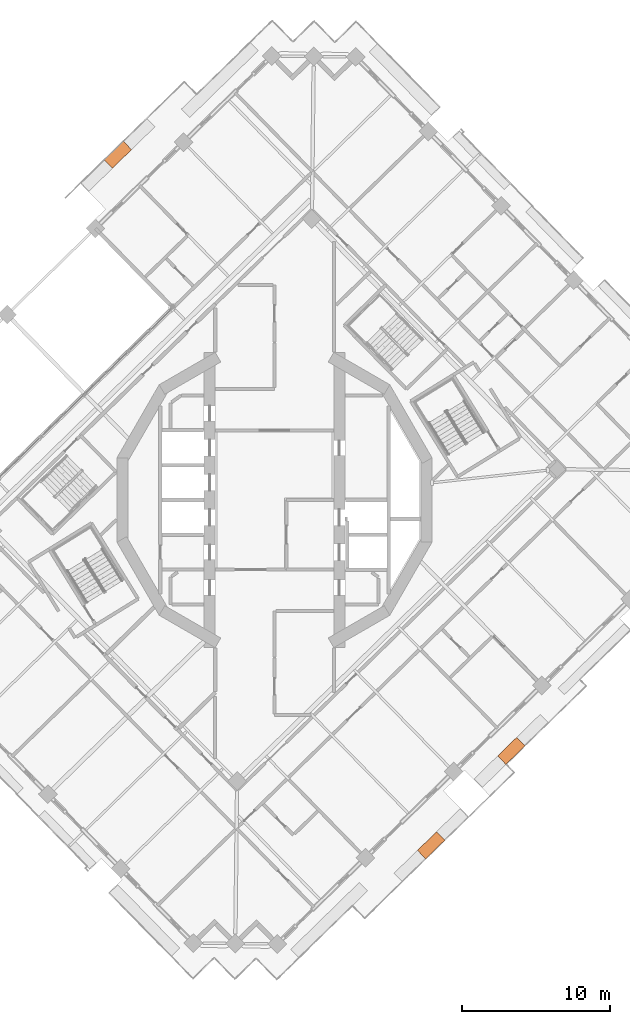
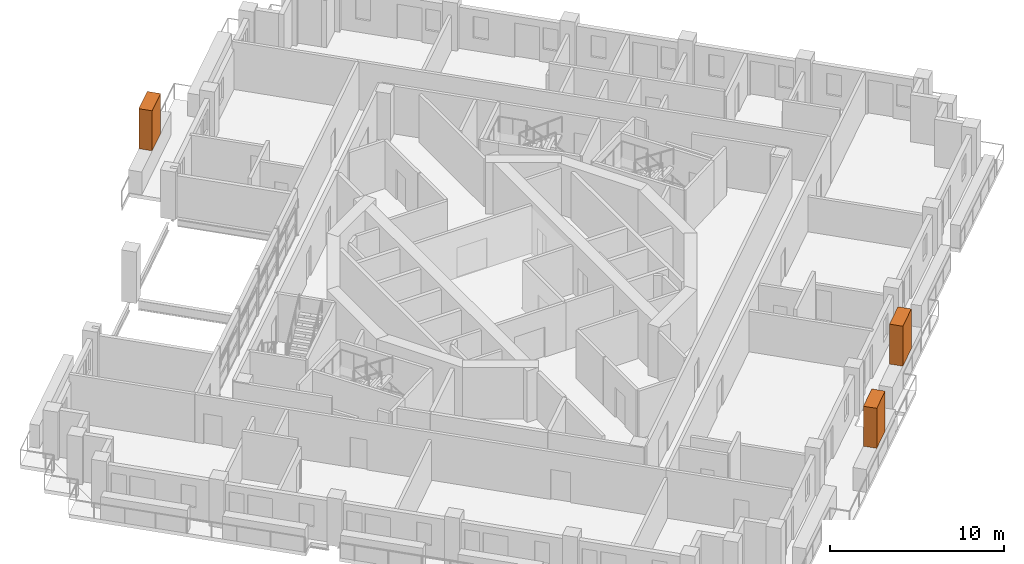
# One storey, part 21 of 21: 3 proxies.
"""IFC4 building model written with IfcOpenShell, lengths in metres."""

from ifc_helpers import new_model, si_unit, direction, frame, origin, origin_2d, place, context, subcontext, project, spatial, rectangle, extrude, element, save


model = new_model("IFC4")

# Units and contexts
model_context = context("Model", 3, precision=1e-05, world=origin(), true_north=direction((0.0, 1.0)))
body_context = subcontext(model_context, "Body", "Model", "MODEL_VIEW")
ifc_project = project(units=[si_unit("LENGTHUNIT", "METRE"), si_unit("AREAUNIT", "SQUARE_METRE"), si_unit("VOLUMEUNIT", "CUBIC_METRE"), si_unit("PLANEANGLEUNIT", "RADIAN"), si_unit("MASSUNIT", "GRAM", prefix="KILO")], contexts=[model_context])

# Site, building, storey
site_placement = place(None, origin())
site = spatial("IfcSite", under=ifc_project, at=site_placement, CompositionType="ELEMENT")
building_placement = place(site_placement, origin())
building = spatial("IfcBuilding", under=site, at=building_placement, Name="Cantera Rosa Tower", CompositionType="ELEMENT")
storey_placement = place(building_placement, frame((0.0, 0.0, 234.199951171875)))
storey = spatial("IfcBuildingStorey", under=building, at=storey_placement, Name="L51", CompositionType="ELEMENT", Elevation=234.199951171875)

# Proxies
for number, where, z_axis, x_axis, name in (
    (1, (-10.56640625, 23.29296875, 1.60009765625), (0.0, 0.0, 1.0), (-0.71528629107, -0.698831540364, 0.0), "TREE L51-07"),
    (2, (10.56640625, -23.29296875, 1.60009765625), (0.0, 0.0, 1.0), (0.71528629107, 0.698831540364, 0.0), "TREE L51-17"),
    (3, (15.97509765625, -16.923583984375, 1.60009765625), (0.0, 0.0, 1.0), (0.71528629107, 0.698831540364, 0.0), "TREE L51-18"),
):
    element("IfcBuildingElementProxy", number, at=place(storey_placement, frame(where, z_axis=z_axis, x_axis=x_axis)), inside=storey, Name=name, ObjectType="TREE", PredefinedType="USERDEFINED", context=body_context, shape_type="SweptSolid", body=[
        extrude(rectangle(XDim=1.800048828125, YDim=0.800048828125, at=origin_2d()), origin(), (0.0, 0.0, 1.0), 2.800048828125),
    ])

save(model, "model.ifc")
